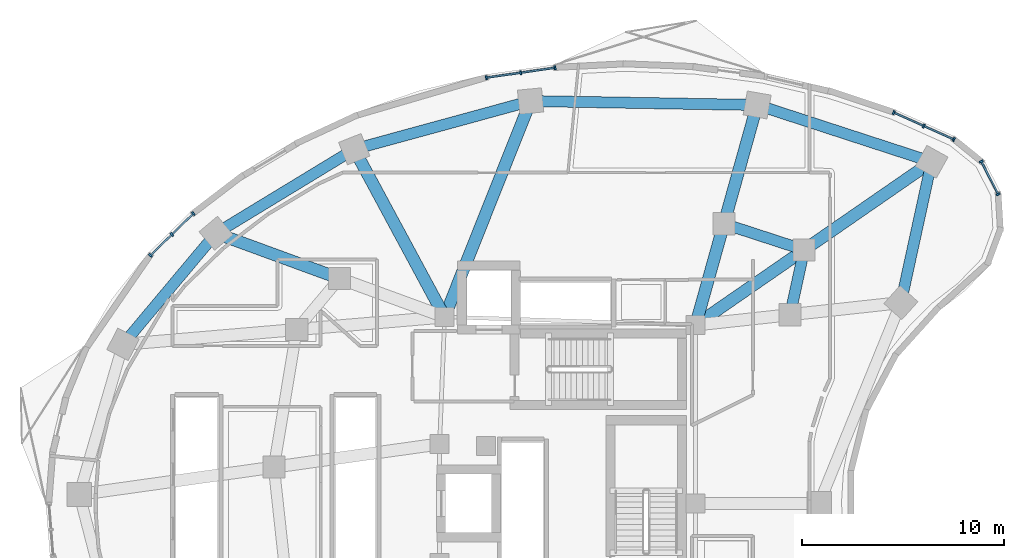
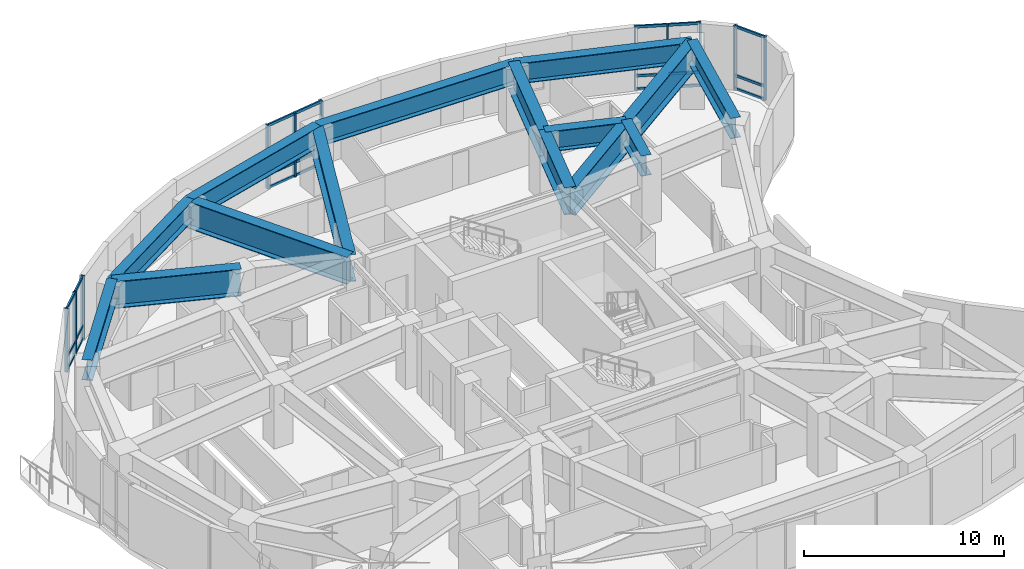
# One storey, part 4 of 13: 32 members, 15 beams, 4 elements without a shape of their own.
"""IFC4 building model written with IfcOpenShell, lengths in metres."""

from ifc_helpers import new_model, si_unit, direction, frame, origin, origin_2d, place, context, subcontext, project, spatial, rectangle, i_section, extrude, material, layer, layer_set, material_profile, profile_set, type_object, element, aggregate, save


model = new_model("IFC4")

# Units and contexts
model_context = context("Model", 3, precision=1e-05, world=origin(), true_north=direction((0.0, 1.0)))
body_context = subcontext(model_context, "Body", "Model", "MODEL_VIEW")
ifc_project = project(units=[si_unit("LENGTHUNIT", "METRE"), si_unit("AREAUNIT", "SQUARE_METRE"), si_unit("VOLUMEUNIT", "CUBIC_METRE"), si_unit("PLANEANGLEUNIT", "RADIAN"), si_unit("MASSUNIT", "GRAM", prefix="KILO")], contexts=[model_context])

# Site, building, storey
site_placement = place(None, origin())
site = spatial("IfcSite", under=ifc_project, at=site_placement, CompositionType="ELEMENT")
building_placement = place(site_placement, origin())
building = spatial("IfcBuilding", under=site, at=building_placement, Name="Korentha Bioscience Tower", CompositionType="ELEMENT")
storey_placement = place(building_placement, frame((0.0, 0.0, 144.60009765625)))
storey = spatial("IfcBuildingStorey", under=building, at=storey_placement, Name="L33", CompositionType="ELEMENT", Elevation=144.60009765625)

# Beams
ifc_material_1 = material(Name="Steel S355", Category="steel")
ifc_material_profile_1 = material_profile(ifc_material_1, i_section(OverallWidth=0.550048828125, OverallDepth=1.25, WebThickness=0.02392578125, FlangeThickness=0.0400390625, at=origin_2d()), Name="Steel S355")
ifc_profile_set_1 = profile_set([ifc_material_profile_1], Name="Steel S355 (TG-03)")
beam_type_1 = type_object("IfcBeamType", Name="Crown Step Transfer Girder CVS 1250x510", PredefinedType="USERDEFINED", material=ifc_profile_set_1)
beam_1_placement = place(storey_placement, frame((42.93603515625, 39.57470703125, 3.2548828125), z_axis=(-0.95087582253, 0.309572560361, 0.0), x_axis=(-0.309572560361, -0.95087582253, 0.0)))
element("IfcBeam", 1, at=beam_1_placement, inside=storey, type_object=beam_type_1, Name="L33 Mid-Ring Tie Girder 01", ObjectType="TRANSFER_GIRDER", PredefinedType="USERDEFINED", context=body_context, shape_type="SweptSolid", body=[
    extrude(i_section(OverallWidth=0.550048828125, OverallDepth=1.25, WebThickness=0.02392578125, FlangeThickness=0.0400390625, at=origin_2d()), origin(), (0.0, 0.0, 1.0), 4.186767578125),
])
beam_2_placement = place(storey_placement, frame((42.235595703125, 36.360595703125, 3.2548828125), z_axis=(0.212928773299, 0.977067724112, 0.0), x_axis=(-0.977067724112, 0.212928773299, 0.0)))
element("IfcBeam", 2, at=beam_2_placement, inside=storey, type_object=beam_type_1, Name="L33 Mid-Ring Tie Girder 16", ObjectType="TRANSFER_GIRDER", PredefinedType="USERDEFINED", context=body_context, shape_type="SweptSolid", body=[
    extrude(i_section(OverallWidth=0.550048828125, OverallDepth=1.25, WebThickness=0.02392578125, FlangeThickness=0.0400390625, at=origin_2d()), origin(), (0.0, 0.0, 1.0), 3.28955078125),
])
beam_3_placement = place(storey_placement, frame((49.2587890625, 43.947021484375, 3.2548828125), z_axis=(-0.950867758759, 0.309597327755, 0.0), x_axis=(-0.309597327755, -0.950867758759, 0.0)))
element("IfcBeam", 3, at=beam_3_placement, inside=storey, type_object=beam_type_1, Name="L33 Perimeter Spandrel Girder 01", ObjectType="TRANSFER_GIRDER", PredefinedType="USERDEFINED", context=body_context, shape_type="SweptSolid", body=[
    extrude(i_section(OverallWidth=0.550048828125, OverallDepth=1.25, WebThickness=0.02392578125, FlangeThickness=0.0400390625, at=origin_2d()), origin(), (0.0, 0.0, 1.0), 9.101806640625),
])
beam_4_placement = place(storey_placement, frame((40.604248046875, 46.764892578125, 3.2548828125), z_axis=(-0.999850566826, 0.017287105523, 0.0), x_axis=(-0.017287105523, -0.999850566826, 0.0)))
element("IfcBeam", 4, at=beam_4_placement, inside=storey, type_object=beam_type_1, Name="L33 Perimeter Spandrel Girder 02", ObjectType="TRANSFER_GIRDER", PredefinedType="USERDEFINED", context=body_context, shape_type="SweptSolid", body=[
    extrude(i_section(OverallWidth=0.550048828125, OverallDepth=1.25, WebThickness=0.02392578125, FlangeThickness=0.0400390625, at=origin_2d()), origin(), (0.0, 0.0, 1.0), 11.24169921875),
])
beam_5_placement = place(storey_placement, frame((29.3642578125, 46.959228515625, 3.2548828125), z_axis=(-0.964659386444, -0.263500034431, 0.0), x_axis=(0.263500034431, -0.964659386444, 0.0)))
element("IfcBeam", 5, at=beam_5_placement, inside=storey, type_object=beam_type_1, Name="L33 Perimeter Spandrel Girder 03", ObjectType="TRANSFER_GIRDER", PredefinedType="USERDEFINED", context=body_context, shape_type="SweptSolid", body=[
    extrude(i_section(OverallWidth=0.550048828125, OverallDepth=1.25, WebThickness=0.02392578125, FlangeThickness=0.0400390625, at=origin_2d()), origin(), (0.0, 0.0, 1.0), 9.06982421875),
])
beam_6_placement = place(storey_placement, frame((20.614990234375, 44.5693359375, 3.2548828125), z_axis=(-0.854461040474, -0.51951547649, 0.0), x_axis=(0.51951547649, -0.854461040474, 0.0)))
element("IfcBeam", 6, at=beam_6_placement, inside=storey, type_object=beam_type_1, Name="L33 Perimeter Spandrel Girder 04", ObjectType="TRANSFER_GIRDER", PredefinedType="USERDEFINED", context=body_context, shape_type="SweptSolid", body=[
    extrude(i_section(OverallWidth=0.550048828125, OverallDepth=1.25, WebThickness=0.02392578125, FlangeThickness=0.0400390625, at=origin_2d()), origin(), (0.0, 0.0, 1.0), 8.025146484375),
])
beam_7_placement = place(storey_placement, frame((13.7578125, 40.400146484375, 3.2548828125), z_axis=(-0.642126556076, -0.76659864726, 0.0), x_axis=(0.76659864726, -0.642126556076, 0.0)))
element("IfcBeam", 7, at=beam_7_placement, inside=storey, type_object=beam_type_1, Name="L33 Perimeter Spandrel Girder 05", ObjectType="TRANSFER_GIRDER", PredefinedType="USERDEFINED", context=body_context, shape_type="SweptSolid", body=[
    extrude(i_section(OverallWidth=0.550048828125, OverallDepth=1.25, WebThickness=0.02392578125, FlangeThickness=0.0400390625, at=origin_2d()), origin(), (0.0, 0.0, 1.0), 7.1884765625),
])
beam_8_placement = place(storey_placement, frame((47.736083984375, 36.959716796875, 3.2548828125), z_axis=(0.212927102256, 0.977068088275, 0.0), x_axis=(-0.977068088275, 0.212927102256, 0.0)))
element("IfcBeam", 8, at=beam_8_placement, inside=storey, type_object=beam_type_1, Name="L33 Perimeter Spandrel Girder 16", ObjectType="TRANSFER_GIRDER", PredefinedType="USERDEFINED", context=body_context, shape_type="SweptSolid", body=[
    extrude(i_section(OverallWidth=0.550048828125, OverallDepth=1.25, WebThickness=0.02392578125, FlangeThickness=0.0400390625, at=origin_2d()), origin(), (0.0, 0.0, 1.0), 7.1513671875),
])
ifc_material_profile_2 = material_profile(ifc_material_1, i_section(OverallWidth=0.60009765625, OverallDepth=1.64990234375, WebThickness=0.02587890625, FlangeThickness=0.0439453125, at=origin_2d()), Name="Steel S355")
ifc_profile_set_2 = profile_set([ifc_material_profile_2], Name="Steel S355 (TG-04)")
beam_type_2 = type_object("IfcBeamType", Name="Deep Setback Transfer Girder CVS 1650x620", PredefinedType="USERDEFINED", material=ifc_profile_set_2)
beam_9_placement = place(storey_placement, frame((37.550048828125, 35.85009765625, 3.054931640625), z_axis=(0.822488699387, 0.568781451333, 0.0), x_axis=(-0.568781451333, 0.822488699387, 0.0)))
element("IfcBeam", 9, at=beam_9_placement, inside=storey, type_object=beam_type_2, Name="L33 Inner Radial Transfer Girder 01", ObjectType="TRANSFER_GIRDER", PredefinedType="USERDEFINED", context=body_context, shape_type="SweptSolid", body=[
    extrude(i_section(OverallWidth=0.60009765625, OverallDepth=1.64990234375, WebThickness=0.02587890625, FlangeThickness=0.0439453125, at=origin_2d()), origin(), (0.0, 0.0, 1.0), 6.54833984375),
])
beam_10_placement = place(storey_placement, frame((42.93603515625, 39.57470703125, 3.054931640625), z_axis=(0.822495056204, 0.568772258922, 0.0), x_axis=(-0.568772258922, 0.822495056204, 0.0)))
element("IfcBeam", 10, at=beam_10_placement, inside=storey, type_object=beam_type_2, Name="L33 Outer Radial Transfer Girder 01", ObjectType="TRANSFER_GIRDER", PredefinedType="USERDEFINED", context=body_context, shape_type="SweptSolid", body=[
    extrude(i_section(OverallWidth=0.60009765625, OverallDepth=1.64990234375, WebThickness=0.02587890625, FlangeThickness=0.0439453125, at=origin_2d()), origin(), (0.0, 0.0, 1.0), 7.687255859375),
])
beam_11_placement = place(storey_placement, frame((37.550048828125, 35.85009765625, 3.054931640625), z_axis=(0.269447542125, 0.96301506844, 0.0), x_axis=(-0.96301506844, 0.269447542125, 0.0)))
element("IfcBeam", 11, at=beam_11_placement, inside=storey, type_object=beam_type_2, Name="L33 Inner Radial Transfer Girder 02", ObjectType="TRANSFER_GIRDER", PredefinedType="USERDEFINED", context=body_context, shape_type="SweptSolid", body=[
    extrude(i_section(OverallWidth=0.60009765625, OverallDepth=1.64990234375, WebThickness=0.02587890625, FlangeThickness=0.0439453125, at=origin_2d()), origin(), (0.0, 0.0, 1.0), 5.213623046875),
])
beam_12_placement = place(storey_placement, frame((38.954833984375, 40.870849609375, 3.054931640625), z_axis=(0.269490843458, 0.963002951861, 0.0), x_axis=(-0.963002951861, 0.269490843458, 0.0)))
element("IfcBeam", 12, at=beam_12_placement, inside=storey, type_object=beam_type_2, Name="L33 Outer Radial Transfer Girder 02", ObjectType="TRANSFER_GIRDER", PredefinedType="USERDEFINED", context=body_context, shape_type="SweptSolid", body=[
    extrude(i_section(OverallWidth=0.60009765625, OverallDepth=1.64990234375, WebThickness=0.02587890625, FlangeThickness=0.0439453125, at=origin_2d()), origin(), (0.0, 0.0, 1.0), 6.120361328125),
])
beam_13_placement = place(storey_placement, frame((25.10009765625, 36.25, 3.054931640625), z_axis=(0.369929528493, 0.929059817207, 0.0), x_axis=(-0.929059817207, 0.369929528493, 0.0)))
element("IfcBeam", 13, at=beam_13_placement, inside=storey, type_object=beam_type_2, Name="L33 Radial Transfer Girder 03", ObjectType="TRANSFER_GIRDER", PredefinedType="USERDEFINED", context=body_context, shape_type="SweptSolid", body=[
    extrude(i_section(OverallWidth=0.60009765625, OverallDepth=1.64990234375, WebThickness=0.02587890625, FlangeThickness=0.0439453125, at=origin_2d()), origin(), (0.0, 0.0, 1.0), 11.52685546875),
])
beam_14_placement = place(storey_placement, frame((25.10009765625, 36.25, 3.054931640625), z_axis=(-0.474548018732, 0.880229616587, 0.0), x_axis=(-0.880229616587, -0.474548018732, 0.0)))
element("IfcBeam", 14, at=beam_14_placement, inside=storey, type_object=beam_type_2, Name="L33 Radial Transfer Girder 04", ObjectType="TRANSFER_GIRDER", PredefinedType="USERDEFINED", context=body_context, shape_type="SweptSolid", body=[
    extrude(i_section(OverallWidth=0.60009765625, OverallDepth=1.64990234375, WebThickness=0.02587890625, FlangeThickness=0.0439453125, at=origin_2d()), origin(), (0.0, 0.0, 1.0), 9.451416015625),
])
beam_15_placement = place(storey_placement, frame((19.882568359375, 38.158935546875, 3.054931640625), z_axis=(-0.939100755225, 0.343641923425, 0.0), x_axis=(-0.343641923425, -0.939100755225, 0.0)))
element("IfcBeam", 15, at=beam_15_placement, inside=storey, type_object=beam_type_2, Name="L33 Outer Radial Transfer Girder 05", ObjectType="TRANSFER_GIRDER", PredefinedType="USERDEFINED", context=body_context, shape_type="SweptSolid", body=[
    extrude(i_section(OverallWidth=0.60009765625, OverallDepth=1.64990234375, WebThickness=0.02587890625, FlangeThickness=0.0439453125, at=origin_2d()), origin(), (0.0, 0.0, 1.0), 6.52197265625),
])

# Curtain wall, members
ifc_material_2 = material(Name="Thermally Broken Aluminium Frame", Category="aluminium")
ifc_layer = layer(ifc_material_2, 0.219970703125, Name="Thermally Broken Aluminium Frame")
ifc_layer_set = layer_set([ifc_layer], Name="Thermally Broken Aluminium Frame (CW-T1)")
curtain_wall_type = type_object("IfcCurtainWallType", Name="Standard Bioscience Lab Unitised Curtain Wall CW-T1", PredefinedType="USERDEFINED", material=ifc_layer_set)
curtain_wall_1_placement = place(storey_placement, origin())
curtain_wall_1 = element("IfcCurtainWall", 16, at=curtain_wall_1_placement, inside=storey, type_object=curtain_wall_type, Name="L33 Curtain Wall 01", ObjectType="UNITISED", PredefinedType="USERDEFINED")
ifc_material_3 = material(Name="Anodised Aluminium 6063-T6", Category="aluminium")
ifc_material_profile_3 = material_profile(ifc_material_3, rectangle(XDim=0.090087890625, YDim=0.199951171875, at=origin_2d()), Name="Anodised Aluminium 6063-T6")
ifc_profile_set_3 = profile_set([ifc_material_profile_3], Name="Anodised Aluminium 6063-T6 (CW-MUL)")
member_type_1 = type_object("IfcMemberType", Name="Mullion RECT 90x200", PredefinedType="MULLION", material=ifc_profile_set_3)
member_1_placement = place(storey_placement, frame((50.364013671875, 45.0517578125, 0.0), z_axis=(0.0, 0.0, 1.0), x_axis=(-0.912686563127, 0.408660295952, 0.0)))
member_1 = element("IfcMember", 17, at=member_1_placement, type_object=member_type_1, Name="CW-L33-01 Mullion 1", PredefinedType="MULLION", context=body_context, shape_type="SweptSolid", body=[
    extrude(rectangle(XDim=0.090087890625, YDim=0.199951171875, at=origin_2d()), origin(), (0.0, 0.0, 1.0), 3.8798828125),
])
member_2_placement = place(storey_placement, frame((48.871337890625, 45.72021484375, 0.0), z_axis=(0.0, 0.0, 1.0), x_axis=(-0.912686563127, 0.408660295952, 0.0)))
member_2 = element("IfcMember", 18, at=member_2_placement, type_object=member_type_1, Name="CW-L33-01 Mullion 2", PredefinedType="MULLION", context=body_context, shape_type="SweptSolid", body=[
    extrude(rectangle(XDim=0.090087890625, YDim=0.199951171875, at=origin_2d()), origin(), (0.0, 0.0, 1.0), 3.8798828125),
])
member_3_placement = place(storey_placement, frame((47.37890625, 46.388427734375, 0.0), z_axis=(0.0, 0.0, 1.0), x_axis=(-0.912686563127, 0.408660295952, 0.0)))
member_3 = element("IfcMember", 19, at=member_3_placement, type_object=member_type_1, Name="CW-L33-01 Mullion 3", PredefinedType="MULLION", context=body_context, shape_type="SweptSolid", body=[
    extrude(rectangle(XDim=0.090087890625, YDim=0.199951171875, at=origin_2d()), origin(), (0.0, 0.0, 1.0), 3.8798828125),
])

curtain_wall_2_placement = place(storey_placement, origin())
curtain_wall_2 = element("IfcCurtainWall", 20, at=curtain_wall_2_placement, inside=storey, type_object=curtain_wall_type, Name="L33 Curtain Wall 07", ObjectType="UNITISED", PredefinedType="USERDEFINED")
member_4_placement = place(storey_placement, frame((30.576416015625, 48.609375, 0.0), z_axis=(0.0, 0.0, 1.0), x_axis=(-0.989738282326, -0.14289203091, 0.0)))
member_4 = element("IfcMember", 21, at=member_4_placement, type_object=member_type_1, Name="CW-L33-07 Mullion 1", PredefinedType="MULLION", context=body_context, shape_type="SweptSolid", body=[
    extrude(rectangle(XDim=0.090087890625, YDim=0.199951171875, at=origin_2d()), origin(), (0.0, 0.0, 1.0), 3.8798828125),
])
member_5_placement = place(storey_placement, frame((28.873291015625, 48.363525390625, 0.0), z_axis=(0.0, 0.0, 1.0), x_axis=(-0.989738282326, -0.14289203091, 0.0)))
member_5 = element("IfcMember", 22, at=member_5_placement, type_object=member_type_1, Name="CW-L33-07 Mullion 2", PredefinedType="MULLION", context=body_context, shape_type="SweptSolid", body=[
    extrude(rectangle(XDim=0.090087890625, YDim=0.199951171875, at=origin_2d()), origin(), (0.0, 0.0, 1.0), 3.8798828125),
])
member_6_placement = place(storey_placement, frame((27.170166015625, 48.11767578125, 0.0), z_axis=(0.0, 0.0, 1.0), x_axis=(-0.989738282326, -0.14289203091, 0.0)))
member_6 = element("IfcMember", 23, at=member_6_placement, type_object=member_type_1, Name="CW-L33-07 Mullion 3", PredefinedType="MULLION", context=body_context, shape_type="SweptSolid", body=[
    extrude(rectangle(XDim=0.090087890625, YDim=0.199951171875, at=origin_2d()), origin(), (0.0, 0.0, 1.0), 3.8798828125),
])

curtain_wall_3_placement = place(storey_placement, origin())
curtain_wall_3 = element("IfcCurtainWall", 24, at=curtain_wall_3_placement, inside=storey, type_object=curtain_wall_type, Name="L33 Curtain Wall 13", ObjectType="UNITISED", PredefinedType="USERDEFINED")
member_7_placement = place(storey_placement, frame((12.631103515625, 41.377197265625, 0.0), z_axis=(0.0, 0.0, 1.0), x_axis=(-0.716095631804, -0.698002182025, 0.0)))
member_7 = element("IfcMember", 25, at=member_7_placement, type_object=member_type_1, Name="CW-L33-13 Mullion 1", PredefinedType="MULLION", context=body_context, shape_type="SweptSolid", body=[
    extrude(rectangle(XDim=0.090087890625, YDim=0.199951171875, at=origin_2d()), origin(), (0.0, 0.0, 1.0), 3.8798828125),
])
member_8_placement = place(storey_placement, frame((11.56689453125, 40.340087890625, 0.0), z_axis=(0.0, 0.0, 1.0), x_axis=(-0.716095631804, -0.698002182025, 0.0)))
member_8 = element("IfcMember", 26, at=member_8_placement, type_object=member_type_1, Name="CW-L33-13 Mullion 2", PredefinedType="MULLION", context=body_context, shape_type="SweptSolid", body=[
    extrude(rectangle(XDim=0.090087890625, YDim=0.199951171875, at=origin_2d()), origin(), (0.0, 0.0, 1.0), 3.8798828125),
])
member_9_placement = place(storey_placement, frame((10.5029296875, 39.302734375, 0.0), z_axis=(0.0, 0.0, 1.0), x_axis=(-0.716095631804, -0.698002182025, 0.0)))
member_9 = element("IfcMember", 27, at=member_9_placement, type_object=member_type_1, Name="CW-L33-13 Mullion 3", PredefinedType="MULLION", context=body_context, shape_type="SweptSolid", body=[
    extrude(rectangle(XDim=0.090087890625, YDim=0.199951171875, at=origin_2d()), origin(), (0.0, 0.0, 1.0), 3.8798828125),
])

curtain_wall_4_placement = place(storey_placement, origin())
curtain_wall_4 = element("IfcCurtainWall", 28, at=curtain_wall_4_placement, inside=storey, type_object=curtain_wall_type, Name="L33 Curtain Wall 61", ObjectType="UNITISED", PredefinedType="USERDEFINED")
member_10_placement = place(storey_placement, frame((52.55859375, 42.337158203125, 0.0), z_axis=(0.0, 0.0, 1.0), x_axis=(-0.457613117169, 0.889151412862, 0.0)))
member_10 = element("IfcMember", 29, at=member_10_placement, type_object=member_type_1, Name="CW-L33-61 Mullion 1", PredefinedType="MULLION", context=body_context, shape_type="SweptSolid", body=[
    extrude(rectangle(XDim=0.090087890625, YDim=0.199951171875, at=origin_2d()), origin(), (0.0, 0.0, 1.0), 3.8798828125),
])
member_11_placement = place(storey_placement, frame((51.722412109375, 43.962158203125, 0.0), z_axis=(0.0, 0.0, 1.0), x_axis=(-0.457613117169, 0.889151412862, 0.0)))
member_11 = element("IfcMember", 30, at=member_11_placement, type_object=member_type_1, Name="CW-L33-61 Mullion 2", PredefinedType="MULLION", context=body_context, shape_type="SweptSolid", body=[
    extrude(rectangle(XDim=0.090087890625, YDim=0.199951171875, at=origin_2d()), origin(), (0.0, 0.0, 1.0), 3.8798828125),
])

# Member
ifc_material_profile_4 = material_profile(ifc_material_3, rectangle(XDim=0.090087890625, YDim=0.159912109375, at=origin_2d()), Name="Anodised Aluminium 6063-T6")
ifc_profile_set_4 = profile_set([ifc_material_profile_4], Name="Anodised Aluminium 6063-T6 (CW-TRN)")
member_type_2 = type_object("IfcMemberType", Name="Transom RECT 90x160", PredefinedType="USERDEFINED", material=ifc_profile_set_4)
member_12_placement = place(storey_placement, frame((50.322998046875, 45.0703125, 0.044921875), z_axis=(-0.912753156119, 0.408511537162, 0.0), x_axis=(-0.408511537162, -0.912753156119, 0.0)))
member_12 = element("IfcMember", 31, at=member_12_placement, type_object=member_type_2, Name="CW-L33-01 Bay 1 Transom 1", ObjectType="TRANSOM", PredefinedType="USERDEFINED", context=body_context, shape_type="SweptSolid", body=[
    extrude(rectangle(XDim=0.090087890625, YDim=0.159912109375, at=origin_2d()), origin(), (0.0, 0.0, 1.0), 1.54541015625),
])

member_13_placement = place(storey_placement, frame((50.322998046875, 45.0703125, 0.849853515625), z_axis=(-0.912753156119, 0.408511537162, 0.0), x_axis=(-0.408511537162, -0.912753156119, 0.0)))
member_13 = element("IfcMember", 32, at=member_13_placement, type_object=member_type_2, Name="CW-L33-01 Bay 1 Transom 2", ObjectType="TRANSOM", PredefinedType="USERDEFINED", context=body_context, shape_type="SweptSolid", body=[
    extrude(rectangle(XDim=0.090087890625, YDim=0.159912109375, at=origin_2d()), origin(), (0.0, 0.0, 1.0), 1.54541015625),
])

member_14_placement = place(storey_placement, frame((50.322998046875, 45.0703125, 3.8349609375), z_axis=(-0.912753156119, 0.408511537162, 0.0), x_axis=(-0.408511537162, -0.912753156119, 0.0)))
member_14 = element("IfcMember", 33, at=member_14_placement, type_object=member_type_2, Name="CW-L33-01 Bay 1 Transom 3", ObjectType="TRANSOM", PredefinedType="USERDEFINED", context=body_context, shape_type="SweptSolid", body=[
    extrude(rectangle(XDim=0.090087890625, YDim=0.159912109375, at=origin_2d()), origin(), (0.0, 0.0, 1.0), 1.54541015625),
])

member_15_placement = place(storey_placement, frame((48.830322265625, 45.738525390625, 0.044921875), z_axis=(-0.912667864607, 0.408702053962, 0.0), x_axis=(-0.408702053962, -0.912667864607, 0.0)))
member_15 = element("IfcMember", 34, at=member_15_placement, type_object=member_type_2, Name="CW-L33-01 Bay 2 Transom 1", ObjectType="TRANSOM", PredefinedType="USERDEFINED", context=body_context, shape_type="SweptSolid", body=[
    extrude(rectangle(XDim=0.090087890625, YDim=0.159912109375, at=origin_2d()), origin(), (0.0, 0.0, 1.0), 1.54541015625),
])

member_16_placement = place(storey_placement, frame((48.830322265625, 45.738525390625, 0.849853515625), z_axis=(-0.912667864607, 0.408702053962, 0.0), x_axis=(-0.408702053962, -0.912667864607, 0.0)))
member_16 = element("IfcMember", 35, at=member_16_placement, type_object=member_type_2, Name="CW-L33-01 Bay 2 Transom 2", ObjectType="TRANSOM", PredefinedType="USERDEFINED", context=body_context, shape_type="SweptSolid", body=[
    extrude(rectangle(XDim=0.090087890625, YDim=0.159912109375, at=origin_2d()), origin(), (0.0, 0.0, 1.0), 1.54541015625),
])

member_17_placement = place(storey_placement, frame((48.830322265625, 45.738525390625, 3.8349609375), z_axis=(-0.912667864607, 0.408702053962, 0.0), x_axis=(-0.408702053962, -0.912667864607, 0.0)))
member_17 = element("IfcMember", 36, at=member_17_placement, type_object=member_type_2, Name="CW-L33-01 Bay 2 Transom 3", ObjectType="TRANSOM", PredefinedType="USERDEFINED", context=body_context, shape_type="SweptSolid", body=[
    extrude(rectangle(XDim=0.090087890625, YDim=0.159912109375, at=origin_2d()), origin(), (0.0, 0.0, 1.0), 1.54541015625),
])

aggregate(curtain_wall_1, [member_1, member_2, member_3, member_12, member_13, member_14, member_15, member_16, member_17])

member_18_placement = place(storey_placement, frame((30.53173828125, 48.602783203125, 0.044921875), z_axis=(-0.989747883164, -0.142825515132, 0.0), x_axis=(0.142825515132, -0.989747883164, 0.0)))
member_18 = element("IfcMember", 37, at=member_18_placement, type_object=member_type_2, Name="CW-L33-07 Bay 1 Transom 1", ObjectType="TRANSOM", PredefinedType="USERDEFINED", context=body_context, shape_type="SweptSolid", body=[
    extrude(rectangle(XDim=0.090087890625, YDim=0.159912109375, at=origin_2d()), origin(), (0.0, 0.0, 1.0), 1.630615234375),
])

member_19_placement = place(storey_placement, frame((30.53173828125, 48.602783203125, 0.849853515625), z_axis=(-0.989747883164, -0.142825515132, 0.0), x_axis=(0.142825515132, -0.989747883164, 0.0)))
member_19 = element("IfcMember", 38, at=member_19_placement, type_object=member_type_2, Name="CW-L33-07 Bay 1 Transom 2", ObjectType="TRANSOM", PredefinedType="USERDEFINED", context=body_context, shape_type="SweptSolid", body=[
    extrude(rectangle(XDim=0.090087890625, YDim=0.159912109375, at=origin_2d()), origin(), (0.0, 0.0, 1.0), 1.630615234375),
])

member_20_placement = place(storey_placement, frame((30.53173828125, 48.602783203125, 3.8349609375), z_axis=(-0.989747883164, -0.142825515132, 0.0), x_axis=(0.142825515132, -0.989747883164, 0.0)))
member_20 = element("IfcMember", 39, at=member_20_placement, type_object=member_type_2, Name="CW-L33-07 Bay 1 Transom 3", ObjectType="TRANSOM", PredefinedType="USERDEFINED", context=body_context, shape_type="SweptSolid", body=[
    extrude(rectangle(XDim=0.090087890625, YDim=0.159912109375, at=origin_2d()), origin(), (0.0, 0.0, 1.0), 1.630615234375),
])

member_21_placement = place(storey_placement, frame((28.82861328125, 48.357177734375, 0.044921875), z_axis=(-0.989723648346, -0.142993356153, 0.0), x_axis=(0.142993356153, -0.989723648346, 0.0)))
member_21 = element("IfcMember", 40, at=member_21_placement, type_object=member_type_2, Name="CW-L33-07 Bay 2 Transom 1", ObjectType="TRANSOM", PredefinedType="USERDEFINED", context=body_context, shape_type="SweptSolid", body=[
    extrude(rectangle(XDim=0.090087890625, YDim=0.159912109375, at=origin_2d()), origin(), (0.0, 0.0, 1.0), 1.630615234375),
])

member_22_placement = place(storey_placement, frame((28.82861328125, 48.357177734375, 0.849853515625), z_axis=(-0.989723648346, -0.142993356153, 0.0), x_axis=(0.142993356153, -0.989723648346, 0.0)))
member_22 = element("IfcMember", 41, at=member_22_placement, type_object=member_type_2, Name="CW-L33-07 Bay 2 Transom 2", ObjectType="TRANSOM", PredefinedType="USERDEFINED", context=body_context, shape_type="SweptSolid", body=[
    extrude(rectangle(XDim=0.090087890625, YDim=0.159912109375, at=origin_2d()), origin(), (0.0, 0.0, 1.0), 1.630615234375),
])

member_23_placement = place(storey_placement, frame((28.82861328125, 48.357177734375, 3.8349609375), z_axis=(-0.989723648346, -0.142993356153, 0.0), x_axis=(0.142993356153, -0.989723648346, 0.0)))
member_23 = element("IfcMember", 42, at=member_23_placement, type_object=member_type_2, Name="CW-L33-07 Bay 2 Transom 3", ObjectType="TRANSOM", PredefinedType="USERDEFINED", context=body_context, shape_type="SweptSolid", body=[
    extrude(rectangle(XDim=0.090087890625, YDim=0.159912109375, at=origin_2d()), origin(), (0.0, 0.0, 1.0), 1.630615234375),
])

aggregate(curtain_wall_2, [member_4, member_5, member_6, member_18, member_19, member_20, member_21, member_22, member_23])

member_24_placement = place(storey_placement, frame((12.598876953125, 41.345703125, 0.044921875), z_axis=(-0.716142170971, -0.697954433296, 0.0), x_axis=(0.697954433296, -0.716142170971, 0.0)))
member_24 = element("IfcMember", 43, at=member_24_placement, type_object=member_type_2, Name="CW-L33-13 Bay 1 Transom 1", ObjectType="TRANSOM", PredefinedType="USERDEFINED", context=body_context, shape_type="SweptSolid", body=[
    extrude(rectangle(XDim=0.090087890625, YDim=0.159912109375, at=origin_2d()), origin(), (0.0, 0.0, 1.0), 1.39599609375),
])

member_25_placement = place(storey_placement, frame((12.598876953125, 41.345703125, 0.849853515625), z_axis=(-0.716142170971, -0.697954433296, 0.0), x_axis=(0.697954433296, -0.716142170971, 0.0)))
member_25 = element("IfcMember", 44, at=member_25_placement, type_object=member_type_2, Name="CW-L33-13 Bay 1 Transom 2", ObjectType="TRANSOM", PredefinedType="USERDEFINED", context=body_context, shape_type="SweptSolid", body=[
    extrude(rectangle(XDim=0.090087890625, YDim=0.159912109375, at=origin_2d()), origin(), (0.0, 0.0, 1.0), 1.39599609375),
])

member_26_placement = place(storey_placement, frame((12.598876953125, 41.345703125, 3.8349609375), z_axis=(-0.716142170971, -0.697954433296, 0.0), x_axis=(0.697954433296, -0.716142170971, 0.0)))
member_26 = element("IfcMember", 45, at=member_26_placement, type_object=member_type_2, Name="CW-L33-13 Bay 1 Transom 3", ObjectType="TRANSOM", PredefinedType="USERDEFINED", context=body_context, shape_type="SweptSolid", body=[
    extrude(rectangle(XDim=0.090087890625, YDim=0.159912109375, at=origin_2d()), origin(), (0.0, 0.0, 1.0), 1.39599609375),
])

member_27_placement = place(storey_placement, frame((11.534912109375, 40.30859375, 0.044921875), z_axis=(-0.716142170971, -0.697954433296, 0.0), x_axis=(0.697954433296, -0.716142170971, 0.0)))
member_27 = element("IfcMember", 46, at=member_27_placement, type_object=member_type_2, Name="CW-L33-13 Bay 2 Transom 1", ObjectType="TRANSOM", PredefinedType="USERDEFINED", context=body_context, shape_type="SweptSolid", body=[
    extrude(rectangle(XDim=0.090087890625, YDim=0.159912109375, at=origin_2d()), origin(), (0.0, 0.0, 1.0), 1.39599609375),
])

member_28_placement = place(storey_placement, frame((11.534912109375, 40.30859375, 0.849853515625), z_axis=(-0.716142170971, -0.697954433296, 0.0), x_axis=(0.697954433296, -0.716142170971, 0.0)))
member_28 = element("IfcMember", 47, at=member_28_placement, type_object=member_type_2, Name="CW-L33-13 Bay 2 Transom 2", ObjectType="TRANSOM", PredefinedType="USERDEFINED", context=body_context, shape_type="SweptSolid", body=[
    extrude(rectangle(XDim=0.090087890625, YDim=0.159912109375, at=origin_2d()), origin(), (0.0, 0.0, 1.0), 1.39599609375),
])

member_29_placement = place(storey_placement, frame((11.534912109375, 40.30859375, 3.8349609375), z_axis=(-0.716142170971, -0.697954433296, 0.0), x_axis=(0.697954433296, -0.716142170971, 0.0)))
member_29 = element("IfcMember", 48, at=member_29_placement, type_object=member_type_2, Name="CW-L33-13 Bay 2 Transom 3", ObjectType="TRANSOM", PredefinedType="USERDEFINED", context=body_context, shape_type="SweptSolid", body=[
    extrude(rectangle(XDim=0.090087890625, YDim=0.159912109375, at=origin_2d()), origin(), (0.0, 0.0, 1.0), 1.39599609375),
])

aggregate(curtain_wall_3, [member_7, member_8, member_9, member_24, member_25, member_26, member_27, member_28, member_29])

member_30_placement = place(storey_placement, frame((52.5380859375, 42.377197265625, 0.044921875), z_axis=(-0.457636897633, 0.889139173541, 0.0), x_axis=(-0.889139173541, -0.457636897633, 0.0)))
member_30 = element("IfcMember", 49, at=member_30_placement, type_object=member_type_2, Name="CW-L33-61 Bay 1 Transom 1", ObjectType="TRANSOM", PredefinedType="USERDEFINED", context=body_context, shape_type="SweptSolid", body=[
    extrude(rectangle(XDim=0.090087890625, YDim=0.159912109375, at=origin_2d()), origin(), (0.0, 0.0, 1.0), 1.737548828125),
])

member_31_placement = place(storey_placement, frame((52.5380859375, 42.377197265625, 0.849853515625), z_axis=(-0.457636897633, 0.889139173541, 0.0), x_axis=(-0.889139173541, -0.457636897633, 0.0)))
member_31 = element("IfcMember", 50, at=member_31_placement, type_object=member_type_2, Name="CW-L33-61 Bay 1 Transom 2", ObjectType="TRANSOM", PredefinedType="USERDEFINED", context=body_context, shape_type="SweptSolid", body=[
    extrude(rectangle(XDim=0.090087890625, YDim=0.159912109375, at=origin_2d()), origin(), (0.0, 0.0, 1.0), 1.737548828125),
])

member_32_placement = place(storey_placement, frame((52.5380859375, 42.377197265625, 3.8349609375), z_axis=(-0.457636897633, 0.889139173541, 0.0), x_axis=(-0.889139173541, -0.457636897633, 0.0)))
member_32 = element("IfcMember", 51, at=member_32_placement, type_object=member_type_2, Name="CW-L33-61 Bay 1 Transom 3", ObjectType="TRANSOM", PredefinedType="USERDEFINED", context=body_context, shape_type="SweptSolid", body=[
    extrude(rectangle(XDim=0.090087890625, YDim=0.159912109375, at=origin_2d()), origin(), (0.0, 0.0, 1.0), 1.737548828125),
])

aggregate(curtain_wall_4, [member_10, member_11, member_30, member_31, member_32])

save(model, "model.ifc")
